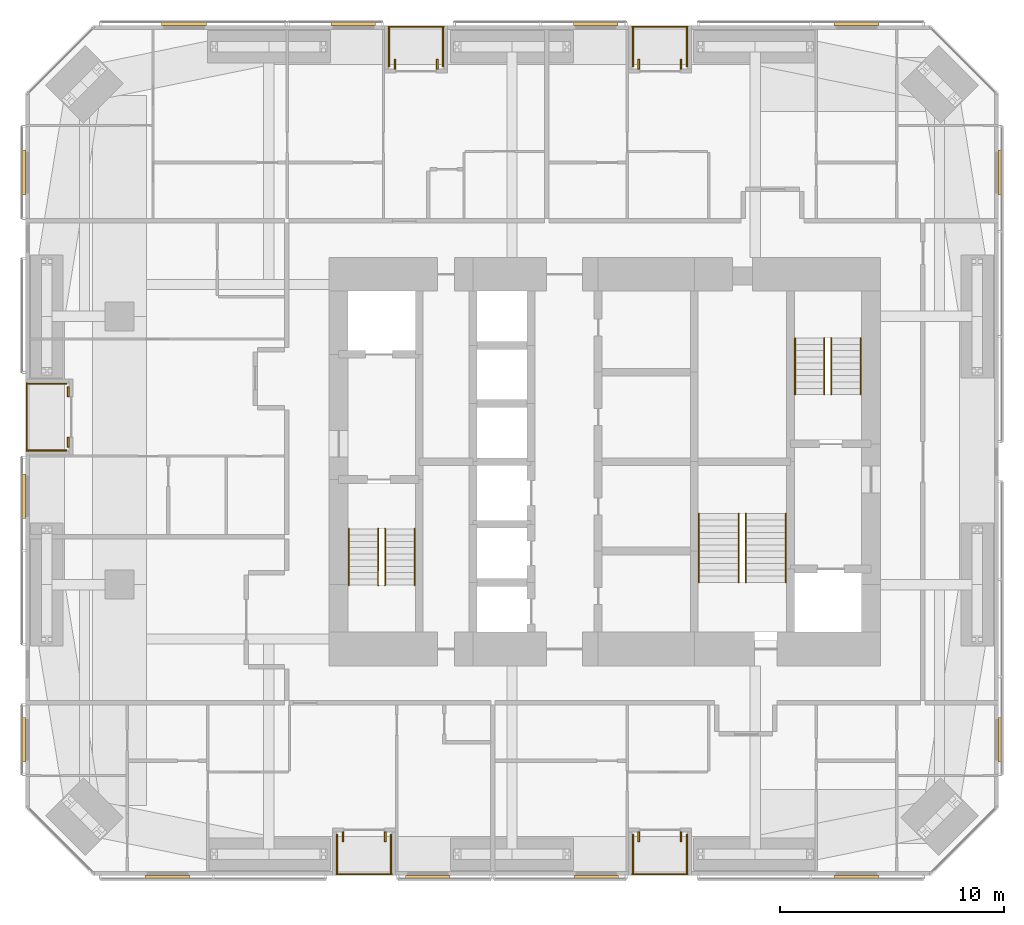
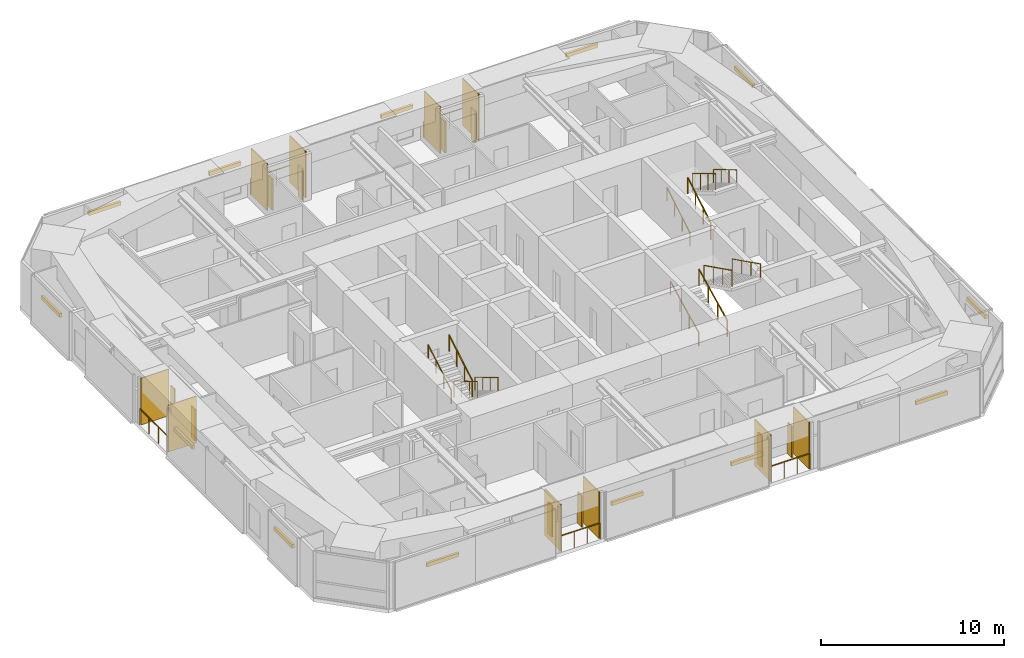
# One storey, part 24 of 24: 33 shading devices, 17 railings.
"""IFC4 building model written with IfcOpenShell, lengths in metres."""

from ifc_helpers import new_model, si_unit, direction, frame, origin, origin_2d, place, context, subcontext, project, spatial, rectangle, circle, extrude, material, layer, layer_set, constituent, constituent_set, type_object, element, save


model = new_model("IFC4")

# Units and contexts
model_context = context("Model", 3, precision=1e-05, world=origin(), true_north=direction((0.0, 1.0)))
body_context = subcontext(model_context, "Body", "Model", "MODEL_VIEW")
ifc_project = project(units=[si_unit("LENGTHUNIT", "METRE"), si_unit("AREAUNIT", "SQUARE_METRE"), si_unit("VOLUMEUNIT", "CUBIC_METRE"), si_unit("PLANEANGLEUNIT", "RADIAN"), si_unit("MASSUNIT", "GRAM", prefix="KILO")], contexts=[model_context])

# Site, building, storey
site_placement = place(None, origin())
site = spatial("IfcSite", under=ifc_project, at=site_placement, CompositionType="ELEMENT")
building_placement = place(site_placement, origin())
building = spatial("IfcBuilding", under=site, at=building_placement, Name="Jalousie Tower", CompositionType="ELEMENT")
storey_placement = place(building_placement, frame((0.0, 0.0, 124.949951171875)))
storey = spatial("IfcBuildingStorey", under=building, at=storey_placement, Name="L34", CompositionType="ELEMENT", Elevation=124.949951171875)

# Shading devices
ifc_material_1 = material(Name="Aluminium impact-rated louvred storm shutter", Category="aluminium")
shading_device_type_1 = type_object("IfcShadingDeviceType", Name="BI-FOLD STORM SHUTTER 900x2100", PredefinedType="SHUTTER", material=ifc_material_1)
for number, where, z_axis, x_axis, name in (
    (1, (20.197509765625, 1.72509765625, 0.0), (0.0, 0.0, 1.0), (0.0, 1.0, 0.0), "Loggia storm shutter L34"),
    (2, (22.077392578125, 1.72509765625, 0.0), (0.0, 0.0, 1.0), (0.0, 1.0, 0.0), "Loggia storm shutter L34"),
    (3, (33.422607421875, 1.72509765625, 0.0), (0.0, 0.0, 1.0), (0.0, 1.0, 0.0), "Loggia storm shutter L34"),
    (4, (35.302490234375, 1.72509765625, 0.0), (0.0, 0.0, 1.0), (0.0, 1.0, 0.0), "Loggia storm shutter L34"),
    (5, (35.302490234375, 36.27490234375, 0.0), (0.0, 0.0, 1.0), (0.0, -1.0, 0.0), "Loggia storm shutter L34"),
    (6, (33.422607421875, 36.27490234375, 0.0), (0.0, 0.0, 1.0), (0.0, -1.0, 0.0), "Loggia storm shutter L34"),
    (7, (24.402587890625, 36.27490234375, 0.0), (0.0, 0.0, 1.0), (0.0, -1.0, 0.0), "Loggia storm shutter L34"),
    (8, (22.5224609375, 36.27490234375, 0.0), (0.0, 0.0, 1.0), (0.0, -1.0, 0.0), "Loggia storm shutter L34"),
    (9, (7.909912109375, 21.61865234375, 0.0), (0.0, 0.0, 1.0), (0.0, -1.0, 0.0), "Loggia storm shutter L34"),
    (10, (7.909912109375, 19.36865234375, 0.0), (0.0, 0.0, 1.0), (0.0, -1.0, 0.0), "Loggia storm shutter L34"),
):
    element("IfcShadingDevice", number, at=place(storey_placement, frame(where, z_axis=z_axis, x_axis=x_axis)), inside=storey, type_object=shading_device_type_1, Name=name, PredefinedType="SHUTTER", context=body_context, shape_type="SweptSolid", body=[
        extrude(rectangle(XDim=0.449951171875, YDim=0.080078125, at=origin_2d()), origin(), (0.0, 0.0, 1.0), 2.10009765625),
    ])

# Railings
ifc_material_2 = material(Name="Powder-coated aluminium fretwork", Category="aluminium")
railing_type_1 = type_object("IfcRailingType", Name="FRETWORK BALUSTRADE 1100", PredefinedType="BALUSTRADE", material=ifc_material_2)
for number, where, name in (
    (11, (19.89990234375, 0.050048828125, 0.0), "Loggia fretwork balustrade L34"),
    (12, (33.125, 0.050048828125, 0.0), "Loggia fretwork balustrade L34"),
):
    element("IfcRailing", number, at=place(storey_placement, frame(where)), inside=storey, type_object=railing_type_1, Name=name, PredefinedType="BALUSTRADE", context=body_context, shape_type="SweptSolid", body=[
        extrude(rectangle(XDim=0.048095703125, YDim=0.048095703125, at=origin_2d()), frame((0.0, 0.0, 1.076171875), z_axis=(1.0, 0.0, 0.0), x_axis=(0.0, 1.0, 0.0)), (0.0, 0.0, 1.0), 2.47509765625),
        extrude(circle(Radius=0.02099609375, at=origin_2d()), origin(), (0.0, 0.0, 1.0), 1.052001953125),
        extrude(circle(Radius=0.02099609375, at=origin_2d()), frame((0.824951171875, 0.0, 0.0)), (0.0, 0.0, 1.0), 1.052001953125),
        extrude(circle(Radius=0.02099609375, at=origin_2d()), frame((1.650146484375, 0.0, 0.0)), (0.0, 0.0, 1.0), 1.052001953125),
        extrude(circle(Radius=0.02099609375, at=origin_2d()), frame((2.47509765625, 0.0, 0.0)), (0.0, 0.0, 1.0), 1.052001953125),
    ])
railing_1_placement = place(storey_placement, frame((35.60009765625, 37.949951171875, 0.0)))
element("IfcRailing", 13, at=railing_1_placement, inside=storey, type_object=railing_type_1, Name="Loggia fretwork balustrade L34", PredefinedType="BALUSTRADE", context=body_context, shape_type="SweptSolid", body=[
    extrude(rectangle(XDim=0.048095703125, YDim=0.048095703125, at=origin_2d()), frame((0.0, 0.0, 1.076171875), z_axis=(-1.0, 0.0, 0.0), x_axis=(0.0, -1.0, 0.0)), (0.0, 0.0, 1.0), 2.47509765625),
    extrude(circle(Radius=0.02099609375, at=origin_2d()), origin(), (0.0, 0.0, 1.0), 1.052001953125),
    extrude(circle(Radius=0.02099609375, at=origin_2d()), frame((-0.824951171875, 0.0, 0.0)), (0.0, 0.0, 1.0), 1.052001953125),
    extrude(circle(Radius=0.02099609375, at=origin_2d()), frame((-1.650146484375, 0.0, 0.0)), (0.0, 0.0, 1.0), 1.052001953125),
    extrude(circle(Radius=0.02099609375, at=origin_2d()), frame((-2.47509765625, 0.0, 0.0)), (0.0, 0.0, 1.0), 1.052001953125),
])
railing_2_placement = place(storey_placement, frame((24.699951171875, 37.949951171875, 0.0)))
element("IfcRailing", 14, at=railing_2_placement, inside=storey, type_object=railing_type_1, Name="Loggia fretwork balustrade L34", PredefinedType="BALUSTRADE", context=body_context, shape_type="SweptSolid", body=[
    extrude(rectangle(XDim=0.048095703125, YDim=0.048095703125, at=origin_2d()), frame((0.0, 0.0, 1.076171875), z_axis=(-1.0, 0.0, 0.0), x_axis=(0.0, -1.0, 0.0)), (0.0, 0.0, 1.0), 2.474853515625),
    extrude(circle(Radius=0.02099609375, at=origin_2d()), origin(), (0.0, 0.0, 1.0), 1.052001953125),
    extrude(circle(Radius=0.02099609375, at=origin_2d()), frame((-0.824951171875, 0.0, 0.0)), (0.0, 0.0, 1.0), 1.052001953125),
    extrude(circle(Radius=0.02099609375, at=origin_2d()), frame((-1.64990234375, 0.0, 0.0)), (0.0, 0.0, 1.0), 1.052001953125),
    extrude(circle(Radius=0.02099609375, at=origin_2d()), frame((-2.474853515625, 0.0, 0.0)), (0.0, 0.0, 1.0), 1.052001953125),
])
railing_3_placement = place(storey_placement, frame((6.050048828125, 22.012451171875, 0.0)))
element("IfcRailing", 15, at=railing_3_placement, inside=storey, type_object=railing_type_1, Name="Loggia fretwork balustrade L34", PredefinedType="BALUSTRADE", context=body_context, shape_type="SweptSolid", body=[
    extrude(rectangle(XDim=0.048095703125, YDim=0.048095703125, at=origin_2d()), frame((0.0, 0.0, 1.076171875), z_axis=(0.0, -1.0, 0.0), x_axis=(1.0, 0.0, 0.0)), (0.0, 0.0, 1.0), 3.037353515625),
    extrude(circle(Radius=0.02099609375, at=origin_2d()), origin(), (0.0, 0.0, 1.0), 1.052001953125),
    extrude(circle(Radius=0.02099609375, at=origin_2d()), frame((0.0, -1.012451171875, 0.0)), (0.0, 0.0, 1.0), 1.052001953125),
    extrude(circle(Radius=0.02099609375, at=origin_2d()), frame((0.0, -2.02490234375, 0.0)), (0.0, 0.0, 1.0), 1.052001953125),
    extrude(circle(Radius=0.02099609375, at=origin_2d()), frame((0.0, -3.037353515625, 0.0)), (0.0, 0.0, 1.0), 1.052001953125),
])

# Shading devices
ifc_material_3 = material(Name="Powder-coated aluminium louvres", Category="aluminium")
ifc_layer = layer(ifc_material_3, 0.06005859375)
ifc_layer_set = layer_set([ifc_layer], Name="Powder-coated aluminium louvres")
shading_device_type_2 = type_object("IfcShadingDeviceType", Name="JALOUSIE LOUVRE SCREEN", PredefinedType="JALOUSIE", material=ifc_layer_set)
for number, where, z_axis, x_axis, name in (
    (16, (19.929931640625, 0.97509765625, 0.0), (0.0, 0.0, 1.0), (1.0, 0.0, 0.0), "Loggia jalousie louvre screen L34"),
    (17, (22.344970703125, 0.97509765625, 0.0), (0.0, 0.0, 1.0), (1.0, 0.0, 0.0), "Loggia jalousie louvre screen L34"),
    (18, (33.155029296875, 0.97509765625, 0.0), (0.0, 0.0, 1.0), (1.0, 0.0, 0.0), "Loggia jalousie louvre screen L34"),
    (19, (35.570068359375, 0.97509765625, 0.0), (0.0, 0.0, 1.0), (1.0, 0.0, 0.0), "Loggia jalousie louvre screen L34"),
    (20, (35.570068359375, 37.02490234375, 0.0), (0.0, 0.0, 1.0), (-1.0, 0.0, 0.0), "Loggia jalousie louvre screen L34"),
    (21, (33.155029296875, 37.02490234375, 0.0), (0.0, 0.0, 1.0), (-1.0, 0.0, 0.0), "Loggia jalousie louvre screen L34"),
    (22, (24.669921875, 37.02490234375, 0.0), (0.0, 0.0, 1.0), (-1.0, 0.0, 0.0), "Loggia jalousie louvre screen L34"),
    (23, (22.2548828125, 37.02490234375, 0.0), (0.0, 0.0, 1.0), (-1.0, 0.0, 0.0), "Loggia jalousie louvre screen L34"),
    (24, (6.97509765625, 21.982421875, 0.0), (0.0, 0.0, 1.0), (0.0, -1.0, 0.0), "Loggia jalousie louvre screen L34"),
    (25, (6.97509765625, 19.0048828125, 0.0), (0.0, 0.0, 1.0), (0.0, -1.0, 0.0), "Loggia jalousie louvre screen L34"),
):
    element("IfcShadingDevice", number, at=place(storey_placement, frame(where, z_axis=z_axis, x_axis=x_axis)), inside=storey, type_object=shading_device_type_2, Name=name, PredefinedType="JALOUSIE", context=body_context, shape_type="SweptSolid", body=[
        extrude(rectangle(XDim=0.06005859375, YDim=1.75, at=origin_2d()), origin(), (0.0, 0.0, 1.0), 3.110107421875),
    ])

# Railings
ifc_material_4 = material(Name="Steel ASTM A500 Grade C", Category="steel")
ifc_constituent_1 = constituent(ifc_material_4, Name="Body")
ifc_material_5 = material(Name="Hot-dip galvanised zinc coating")
ifc_constituent_2 = constituent(ifc_material_5, Name="Finish")
ifc_constituent_set_1 = constituent_set(constituents=[ifc_constituent_1, ifc_constituent_2])
railing_type_2 = type_object("IfcRailingType", Name="STAIR GUARD 1100", PredefinedType="GUARDRAIL", material=ifc_constituent_set_1)
railing_4_placement = place(storey_placement, frame((22.080078125, 15.49755859375, 0.16748046875)))
element("IfcRailing", 26, at=railing_4_placement, inside=storey, type_object=railing_type_2, Name="Exit stair A guard L34 flight 1", PredefinedType="GUARDRAIL", context=body_context, shape_type="SweptSolid", body=[
    extrude(rectangle(XDim=0.048095703125, YDim=0.048095703125, at=origin_2d()), frame((0.0, 0.0, 1.076171875), z_axis=(0.0, -0.858159760407, 0.513382728203), x_axis=(1.0, 0.0, 0.0)), (0.0, 0.0, 1.0), 2.9365234375),
    extrude(circle(Radius=0.02099609375, at=origin_2d()), origin(), (0.0, 0.0, 1.0), 1.052001953125),
    extrude(circle(Radius=0.02099609375, at=origin_2d()), frame((0.0, -0.840087890625, 0.50244140625)), (0.0, 0.0, 1.0), 1.052001953125),
    extrude(circle(Radius=0.02099609375, at=origin_2d()), frame((0.0, -1.679931640625, 1.005126953125)), (0.0, 0.0, 1.0), 1.052001953125),
    extrude(circle(Radius=0.02099609375, at=origin_2d()), frame((0.0, -2.52001953125, 1.507568359375)), (0.0, 0.0, 1.0), 1.052001953125),
])
for number, where, name in (
    (27, (21.77001953125, 12.9775390625, 1.842529296875), "Exit stair A guard L34 flight 2"),
    (28, (41.719970703125, 21.50244140625, 0.16748046875), "Exit stair B guard L34 flight 1"),
):
    element("IfcRailing", number, at=place(storey_placement, frame(where)), inside=storey, type_object=railing_type_2, Name=name, PredefinedType="GUARDRAIL", context=body_context, shape_type="SweptSolid", body=[
        extrude(rectangle(XDim=0.048095703125, YDim=0.048095703125, at=origin_2d()), frame((0.0, 0.0, 1.076171875), z_axis=(0.0, 0.858159760407, 0.513382728203), x_axis=(-1.0, 0.0, 0.0)), (0.0, 0.0, 1.0), 2.9365234375),
        extrude(circle(Radius=0.02099609375, at=origin_2d()), origin(), (0.0, 0.0, 1.0), 1.052001953125),
        extrude(circle(Radius=0.02099609375, at=origin_2d()), frame((0.0, 0.840087890625, 0.50244140625)), (0.0, 0.0, 1.0), 1.052001953125),
        extrude(circle(Radius=0.02099609375, at=origin_2d()), frame((0.0, 1.679931640625, 1.005126953125)), (0.0, 0.0, 1.0), 1.052001953125),
        extrude(circle(Radius=0.02099609375, at=origin_2d()), frame((0.0, 2.52001953125, 1.507568359375)), (0.0, 0.0, 1.0), 1.052001953125),
    ])
railing_5_placement = place(storey_placement, frame((42.030029296875, 24.0224609375, 1.842529296875)))
element("IfcRailing", 29, at=railing_5_placement, inside=storey, type_object=railing_type_2, Name="Exit stair B guard L34 flight 2", PredefinedType="GUARDRAIL", context=body_context, shape_type="SweptSolid", body=[
    extrude(rectangle(XDim=0.048095703125, YDim=0.048095703125, at=origin_2d()), frame((0.0, 0.0, 1.076171875), z_axis=(0.0, -0.858159760407, 0.513382728203), x_axis=(1.0, 0.0, 0.0)), (0.0, 0.0, 1.0), 2.9365234375),
    extrude(circle(Radius=0.02099609375, at=origin_2d()), origin(), (0.0, 0.0, 1.0), 1.052001953125),
    extrude(circle(Radius=0.02099609375, at=origin_2d()), frame((0.0, -0.840087890625, 0.50244140625)), (0.0, 0.0, 1.0), 1.052001953125),
    extrude(circle(Radius=0.02099609375, at=origin_2d()), frame((0.0, -1.679931640625, 1.005126953125)), (0.0, 0.0, 1.0), 1.052001953125),
    extrude(circle(Radius=0.02099609375, at=origin_2d()), frame((0.0, -2.52001953125, 1.507568359375)), (0.0, 0.0, 1.0), 1.052001953125),
])
railing_6_placement = place(storey_placement, frame((37.89501953125, 13.097412109375, 0.1396484375)))
element("IfcRailing", 30, at=railing_6_placement, inside=storey, type_object=railing_type_2, Name="Exit stair C guard L34 flight 1", PredefinedType="GUARDRAIL", context=body_context, shape_type="SweptSolid", body=[
    extrude(rectangle(XDim=0.048095703125, YDim=0.048095703125, at=origin_2d()), frame((0.0, 0.0, 1.076171875), z_axis=(0.0, 0.894965676997, 0.446134998624), x_axis=(-1.0, 0.0, 0.0)), (0.0, 0.0, 1.0), 3.441650390625),
    extrude(circle(Radius=0.02099609375, at=origin_2d()), origin(), (0.0, 0.0, 1.0), 1.052001953125),
    extrude(circle(Radius=0.02099609375, at=origin_2d()), frame((0.0, 1.026611328125, 0.51171875)), (0.0, 0.0, 1.0), 1.052001953125),
    extrude(circle(Radius=0.02099609375, at=origin_2d()), frame((0.0, 2.053466796875, 1.023681640625)), (0.0, 0.0, 1.0), 1.052001953125),
    extrude(circle(Radius=0.02099609375, at=origin_2d()), frame((0.0, 3.080078125, 1.535400390625)), (0.0, 0.0, 1.0), 1.052001953125),
])
railing_7_placement = place(storey_placement, frame((38.205078125, 16.177490234375, 1.814697265625)))
element("IfcRailing", 31, at=railing_7_placement, inside=storey, type_object=railing_type_2, Name="Exit stair C guard L34 flight 2", PredefinedType="GUARDRAIL", context=body_context, shape_type="SweptSolid", body=[
    extrude(rectangle(XDim=0.048095703125, YDim=0.048095703125, at=origin_2d()), frame((0.0, 0.0, 1.076171875), z_axis=(0.0, -0.894965676997, 0.446134998624), x_axis=(1.0, 0.0, 0.0)), (0.0, 0.0, 1.0), 3.441650390625),
    extrude(circle(Radius=0.02099609375, at=origin_2d()), origin(), (0.0, 0.0, 1.0), 1.052001953125),
    extrude(circle(Radius=0.02099609375, at=origin_2d()), frame((0.0, -1.026611328125, 0.51171875)), (0.0, 0.0, 1.0), 1.052001953125),
    extrude(circle(Radius=0.02099609375, at=origin_2d()), frame((0.0, -2.053466796875, 1.023681640625)), (0.0, 0.0, 1.0), 1.052001953125),
    extrude(circle(Radius=0.02099609375, at=origin_2d()), frame((0.0, -3.080078125, 1.535400390625)), (0.0, 0.0, 1.0), 1.052001953125),
])
ifc_material_6 = material(Name="Steel ASTM A500 Grade C", Category="steel")
ifc_constituent_3 = constituent(ifc_material_6, Name="Body")
ifc_material_7 = material(Name="Hot-dip galvanised zinc coating")
ifc_constituent_4 = constituent(ifc_material_7, Name="Finish")
ifc_constituent_set_2 = constituent_set(constituents=[ifc_constituent_3, ifc_constituent_4])
railing_type_3 = type_object("IfcRailingType", Name="STAIR HANDRAIL 900", PredefinedType="HANDRAIL", material=ifc_constituent_set_2)
railing_8_placement = place(storey_placement, frame((23.39501953125, 15.49755859375, 0.16748046875)))
element("IfcRailing", 32, at=railing_8_placement, inside=storey, type_object=railing_type_3, Name="Exit stair A handrail L34 flight 1", PredefinedType="HANDRAIL", context=body_context, shape_type="SweptSolid", body=[
    extrude(circle(Radius=0.02392578125, at=origin_2d()), frame((0.0, 0.0, 0.8759765625), z_axis=(0.0, -0.858159760407, 0.513382728203), x_axis=(1.0, 0.0, 0.0)), (0.0, 0.0, 1.0), 2.9365234375),
    extrude(circle(Radius=0.02099609375, at=origin_2d()), origin(), (0.0, 0.0, 1.0), 0.851806640625),
    extrude(circle(Radius=0.02099609375, at=origin_2d()), frame((0.0, -0.840087890625, 0.50244140625)), (0.0, 0.0, 1.0), 0.851806640625),
    extrude(circle(Radius=0.02099609375, at=origin_2d()), frame((0.0, -1.679931640625, 1.005126953125)), (0.0, 0.0, 1.0), 0.851806640625),
    extrude(circle(Radius=0.02099609375, at=origin_2d()), frame((0.0, -2.52001953125, 1.507568359375)), (0.0, 0.0, 1.0), 0.851806640625),
])
for number, where, name in (
    (33, (20.455078125, 12.9775390625, 1.842529296875), "Exit stair A handrail L34 flight 2"),
    (34, (40.405029296875, 21.50244140625, 0.16748046875), "Exit stair B handrail L34 flight 1"),
):
    element("IfcRailing", number, at=place(storey_placement, frame(where)), inside=storey, type_object=railing_type_3, Name=name, PredefinedType="HANDRAIL", context=body_context, shape_type="SweptSolid", body=[
        extrude(circle(Radius=0.02392578125, at=origin_2d()), frame((0.0, 0.0, 0.8759765625), z_axis=(0.0, 0.858159760407, 0.513382728203), x_axis=(-1.0, 0.0, 0.0)), (0.0, 0.0, 1.0), 2.9365234375),
        extrude(circle(Radius=0.02099609375, at=origin_2d()), origin(), (0.0, 0.0, 1.0), 0.851806640625),
        extrude(circle(Radius=0.02099609375, at=origin_2d()), frame((0.0, 0.840087890625, 0.50244140625)), (0.0, 0.0, 1.0), 0.851806640625),
        extrude(circle(Radius=0.02099609375, at=origin_2d()), frame((0.0, 1.679931640625, 1.005126953125)), (0.0, 0.0, 1.0), 0.851806640625),
        extrude(circle(Radius=0.02099609375, at=origin_2d()), frame((0.0, 2.52001953125, 1.507568359375)), (0.0, 0.0, 1.0), 0.851806640625),
    ])
railing_9_placement = place(storey_placement, frame((43.344970703125, 24.0224609375, 1.842529296875)))
element("IfcRailing", 35, at=railing_9_placement, inside=storey, type_object=railing_type_3, Name="Exit stair B handrail L34 flight 2", PredefinedType="HANDRAIL", context=body_context, shape_type="SweptSolid", body=[
    extrude(circle(Radius=0.02392578125, at=origin_2d()), frame((0.0, 0.0, 0.8759765625), z_axis=(0.0, -0.858159760407, 0.513382728203), x_axis=(1.0, 0.0, 0.0)), (0.0, 0.0, 1.0), 2.9365234375),
    extrude(circle(Radius=0.02099609375, at=origin_2d()), origin(), (0.0, 0.0, 1.0), 0.851806640625),
    extrude(circle(Radius=0.02099609375, at=origin_2d()), frame((0.0, -0.840087890625, 0.50244140625)), (0.0, 0.0, 1.0), 0.851806640625),
    extrude(circle(Radius=0.02099609375, at=origin_2d()), frame((0.0, -1.679931640625, 1.005126953125)), (0.0, 0.0, 1.0), 0.851806640625),
    extrude(circle(Radius=0.02099609375, at=origin_2d()), frame((0.0, -2.52001953125, 1.507568359375)), (0.0, 0.0, 1.0), 0.851806640625),
])
railing_10_placement = place(storey_placement, frame((36.10498046875, 13.097412109375, 0.1396484375)))
element("IfcRailing", 36, at=railing_10_placement, inside=storey, type_object=railing_type_3, Name="Exit stair C handrail L34 flight 1", PredefinedType="HANDRAIL", context=body_context, shape_type="SweptSolid", body=[
    extrude(circle(Radius=0.02392578125, at=origin_2d()), frame((0.0, 0.0, 0.8759765625), z_axis=(0.0, 0.894965676997, 0.446134998624), x_axis=(-1.0, 0.0, 0.0)), (0.0, 0.0, 1.0), 3.441650390625),
    extrude(circle(Radius=0.02099609375, at=origin_2d()), origin(), (0.0, 0.0, 1.0), 0.851806640625),
    extrude(circle(Radius=0.02099609375, at=origin_2d()), frame((0.0, 1.026611328125, 0.51171875)), (0.0, 0.0, 1.0), 0.851806640625),
    extrude(circle(Radius=0.02099609375, at=origin_2d()), frame((0.0, 2.053466796875, 1.023681640625)), (0.0, 0.0, 1.0), 0.851806640625),
    extrude(circle(Radius=0.02099609375, at=origin_2d()), frame((0.0, 3.080078125, 1.535400390625)), (0.0, 0.0, 1.0), 0.851806640625),
])
railing_11_placement = place(storey_placement, frame((39.9951171875, 16.177490234375, 1.814697265625)))
element("IfcRailing", 37, at=railing_11_placement, inside=storey, type_object=railing_type_3, Name="Exit stair C handrail L34 flight 2", PredefinedType="HANDRAIL", context=body_context, shape_type="SweptSolid", body=[
    extrude(circle(Radius=0.02392578125, at=origin_2d()), frame((0.0, 0.0, 0.8759765625), z_axis=(0.0, -0.894965676997, 0.446134998624), x_axis=(1.0, 0.0, 0.0)), (0.0, 0.0, 1.0), 3.441650390625),
    extrude(circle(Radius=0.02099609375, at=origin_2d()), origin(), (0.0, 0.0, 1.0), 0.851806640625),
    extrude(circle(Radius=0.02099609375, at=origin_2d()), frame((0.0, -1.026611328125, 0.51171875)), (0.0, 0.0, 1.0), 0.851806640625),
    extrude(circle(Radius=0.02099609375, at=origin_2d()), frame((0.0, -2.053466796875, 1.023681640625)), (0.0, 0.0, 1.0), 0.851806640625),
    extrude(circle(Radius=0.02099609375, at=origin_2d()), frame((0.0, -3.080078125, 1.535400390625)), (0.0, 0.0, 1.0), 0.851806640625),
])

# Shading devices
ifc_material_8 = material(Name="Aluminium roller storm shutter", Category="aluminium")
shading_device_type_3 = type_object("IfcShadingDeviceType", Name="STORM SHUTTER HOUSING", PredefinedType="SHUTTER", material=ifc_material_8)
for number, where, z_axis, x_axis, name in (
    (38, (12.35009765625, -0.074951171875, 2.10009765625), (0.0, 0.0, 1.0), (1.0, 0.0, 0.0), "Storm shutter L34"),
    (39, (23.982421875, -0.074951171875, 2.10009765625), (0.0, 0.0, 1.0), (1.0, 0.0, 0.0), "Storm shutter L34"),
    (40, (31.514892578125, -0.074951171875, 2.10009765625), (0.0, 0.0, 1.0), (1.0, 0.0, 0.0), "Storm shutter L34"),
    (41, (43.14990234375, -0.074951171875, 2.10009765625), (0.0, 0.0, 1.0), (1.0, 0.0, 0.0), "Storm shutter L34"),
    (42, (49.574951171875, 6.0693359375, 2.10009765625), (0.0, 0.0, 1.0), (0.0, 1.0, 0.0), "Storm shutter L34"),
    (43, (49.574951171875, 31.4306640625, 2.10009765625), (0.0, 0.0, 1.0), (0.0, 1.0, 0.0), "Storm shutter L34"),
    (44, (43.14990234375, 38.074951171875, 2.10009765625), (0.0, 0.0, 1.0), (-1.0, 0.0, 0.0), "Storm shutter L34"),
    (45, (31.5, 38.074951171875, 2.10009765625), (0.0, 0.0, 1.0), (-1.0, 0.0, 0.0), "Storm shutter L34"),
    (46, (20.657470703125, 38.074951171875, 2.10009765625), (0.0, 0.0, 1.0), (-1.0, 0.0, 0.0), "Storm shutter L34"),
    (47, (13.0849609375, 38.074951171875, 2.10009765625), (0.0, 0.0, 1.0), (-1.0, 0.0, 0.0), "Storm shutter L34"),
    (48, (5.925048828125, 31.4306640625, 2.10009765625), (0.0, 0.0, 1.0), (0.0, -1.0, 0.0), "Storm shutter L34"),
    (49, (5.925048828125, 16.949951171875, 2.10009765625), (0.0, 0.0, 1.0), (0.0, -1.0, 0.0), "Storm shutter L34"),
    (50, (5.925048828125, 6.0693359375, 2.10009765625), (0.0, 0.0, 1.0), (0.0, -1.0, 0.0), "Storm shutter L34"),
):
    element("IfcShadingDevice", number, at=place(storey_placement, frame(where, z_axis=z_axis, x_axis=x_axis)), inside=storey, type_object=shading_device_type_3, Name=name, PredefinedType="SHUTTER", context=body_context, shape_type="SweptSolid", body=[
        extrude(rectangle(XDim=2.0, YDim=0.14990234375, at=origin_2d()), origin(), (0.0, 0.0, 1.0), 0.25),
    ])

save(model, "model.ifc")
